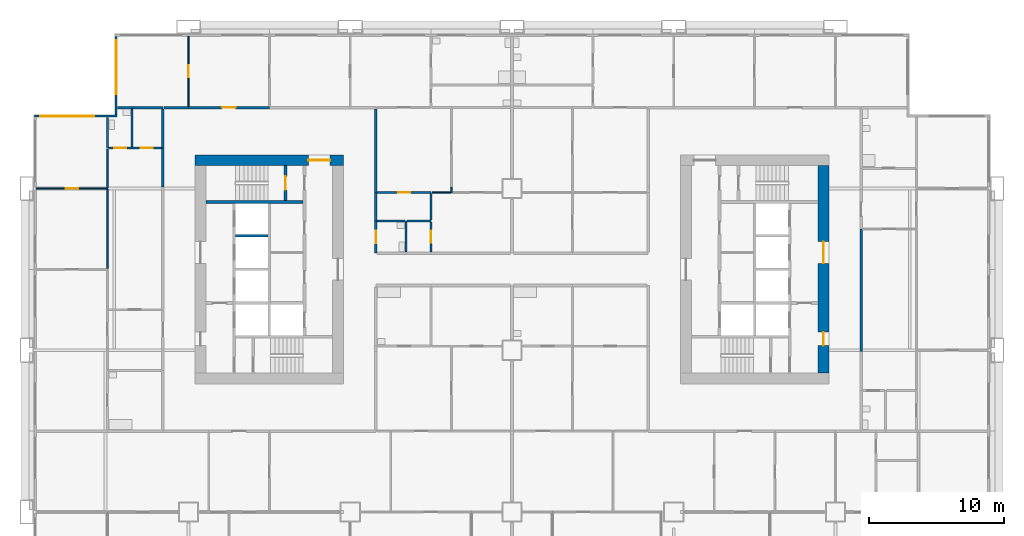
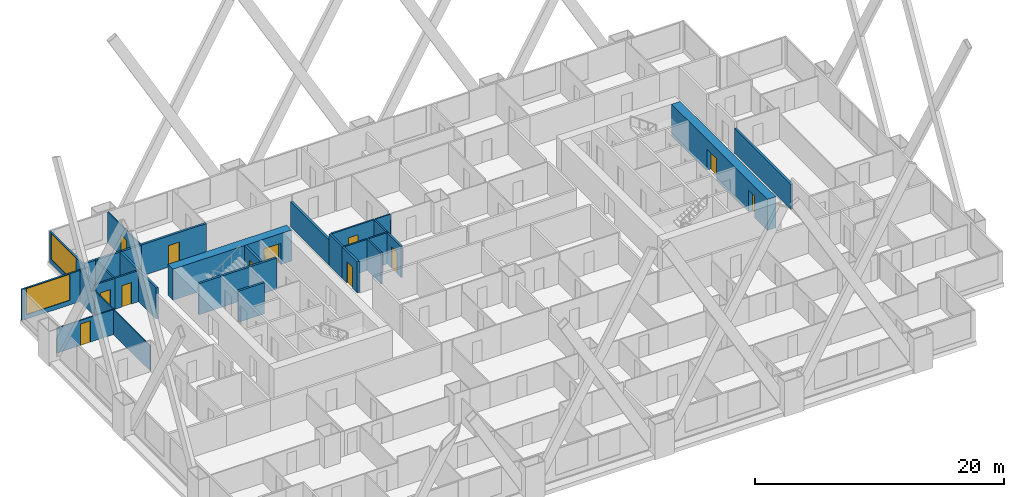
# One storey, part 7 of 13: 33 walls, 12 doors, 2 windows, 14 openings.
"""IFC4 building model written with IfcOpenShell, lengths in metres."""

from ifc_helpers import new_model, si_unit, direction, frame, frame_2d, origin, place, context, subcontext, project, spatial, rectangle, extrude, material, layer, layer_set, type_object, element, fill, save


model = new_model("IFC4")

# Units and contexts
model_context = context("Model", 3, precision=1e-05, world=origin(), true_north=direction((0.0, 1.0)))
body_context = subcontext(model_context, "Body", "Model", "MODEL_VIEW")
ifc_project = project(units=[si_unit("LENGTHUNIT", "METRE"), si_unit("AREAUNIT", "SQUARE_METRE"), si_unit("VOLUMEUNIT", "CUBIC_METRE"), si_unit("PLANEANGLEUNIT", "RADIAN"), si_unit("MASSUNIT", "GRAM", prefix="KILO")], contexts=[model_context])

# Site, building, storey
site_placement = place(None, origin())
site = spatial("IfcSite", under=ifc_project, at=site_placement, CompositionType="ELEMENT")
building_placement = place(site_placement, origin())
building = spatial("IfcBuilding", under=site, at=building_placement, Name="Kitamizu Gate Tower and Museum", CompositionType="ELEMENT")
storey_placement = place(building_placement, frame((0.0, 0.0, 30.0)))
storey = spatial("IfcBuildingStorey", under=building, at=storey_placement, Name="L05", CompositionType="ELEMENT", Elevation=30.0)

# Wall, opening, door
ifc_material_1 = material(Name="Concrete Fc60", Category="concrete")
ifc_layer_1 = layer(ifc_material_1, 0.800048828125)
ifc_layer_set_1 = layer_set([ifc_layer_1], Name="Concrete Fc60")
wall_type_1 = type_object("IfcWallType", Name="Core wall 800", PredefinedType="SHEAR", material=ifc_layer_set_1)
wall_1_placement = place(storey_placement, frame((12.5, 38.10009765625, 0.0), z_axis=(0.0, 0.0, 1.0), x_axis=(1.0, 0.0, 0.0)))
wall_1 = element("IfcWall", 1, at=wall_1_placement, inside=storey, type_object=wall_type_1, Name="Core wall WN", PredefinedType="SHEAR", context=body_context, shape_type="SweptSolid", body=[
    extrude(rectangle(XDim=11.0, YDim=0.800048828125, at=frame_2d((5.5, 0.0))), origin(), (0.0, 0.0, 1.0), 3.050048828125),
])
opening_1_placement = place(wall_1_placement, frame((8.39990234375, 0.0, 0.0)))
opening_1 = element("IfcOpeningElement", 2, at=opening_1_placement, cuts=wall_1, Name="Opening L05-085", PredefinedType="OPENING", context=body_context, shape_type="SweptSolid", body=[
    extrude(rectangle(XDim=1.60009765625, YDim=2.10009765625, at=frame_2d((0.800048828125, 1.050048828125))), frame((0.0, 0.41015625, 0.0), z_axis=(0.0, -1.0, 0.0), x_axis=(1.0, 0.0, 0.0)), (0.0, 0.0, 1.0), 0.820068359375),
])
ifc_material_2 = material(Name="Timber door set", Category="wood")
door_type_1 = type_object("IfcDoorType", Name="Entrance door 1600", OperationType="DOUBLE_DOOR_SINGLE_SWING", PredefinedType="DOOR", material=ifc_material_2)
door_1_placement = place(opening_1_placement, origin())
door_1 = element("IfcDoor", 3, at=door_1_placement, inside=storey, type_object=door_type_1, Name="Lobby door L05-085", OperationType="DOUBLE_DOOR_SINGLE_SWING", OverallHeight=2.10009765625, OverallWidth=1.60009765625, PredefinedType="DOOR", context=body_context, shape_type="SweptSolid", body=[
    extrude(rectangle(XDim=1.60009765625, YDim=2.10009765625, at=frame_2d((0.800048828125, 1.050048828125))), frame((0.0, 0.02490234375, 0.0), z_axis=(0.0, -1.0, 0.0), x_axis=(1.0, 0.0, 0.0)), (0.0, 0.0, 1.0), 0.050048828125),
])
fill(opening_1, door_1)

# Wall, openings, doors
wall_2_placement = place(storey_placement, frame((59.10009765625, 22.300048828125, 0.0), z_axis=(0.0, 0.0, 1.0), x_axis=(0.0, 1.0, 0.0)))
wall_2 = element("IfcWall", 4, at=wall_2_placement, inside=storey, type_object=wall_type_1, Name="Core wall EOUT", PredefinedType="SHEAR", context=body_context, shape_type="SweptSolid", body=[
    extrude(rectangle(XDim=15.39990234375, YDim=0.800048828125, at=frame_2d((7.699951171875, 0.0))), origin(), (0.0, 0.0, 1.0), 3.050048828125),
])
opening_2_placement = place(wall_2_placement, frame((8.14990234375, 0.0, 0.0)))
opening_2 = element("IfcOpeningElement", 5, at=opening_2_placement, cuts=wall_2, Name="Opening L05-094", PredefinedType="OPENING", context=body_context, shape_type="SweptSolid", body=[
    extrude(rectangle(XDim=1.60009765625, YDim=2.10009765625, at=frame_2d((0.800048828125, 1.050048828125))), frame((0.0, 0.41015625, 0.0), z_axis=(0.0, -1.0, 0.0), x_axis=(1.0, 0.0, 0.0)), (0.0, 0.0, 1.0), 0.820068359375),
])
opening_3_placement = place(wall_2_placement, frame((2.050048828125, 0.0, 0.0)))
opening_3 = element("IfcOpeningElement", 6, at=opening_3_placement, cuts=wall_2, Name="Opening L05-095", PredefinedType="OPENING", context=body_context, shape_type="SweptSolid", body=[
    extrude(rectangle(XDim=1.0, YDim=2.10009765625, at=frame_2d((0.5, 1.050048828125))), frame((0.0, 0.41015625, 0.0), z_axis=(0.0, -1.0, 0.0), x_axis=(1.0, 0.0, 0.0)), (0.0, 0.0, 1.0), 0.820068359375),
])
door_2_placement = place(opening_2_placement, origin())
door_2 = element("IfcDoor", 7, at=door_2_placement, inside=storey, type_object=door_type_1, Name="Lobby door L05-094", OperationType="DOUBLE_DOOR_SINGLE_SWING", OverallHeight=2.10009765625, OverallWidth=1.60009765625, PredefinedType="DOOR", context=body_context, shape_type="SweptSolid", body=[
    extrude(rectangle(XDim=1.60009765625, YDim=2.10009765625, at=frame_2d((0.800048828125, 1.050048828125))), frame((0.0, 0.02490234375, 0.0), z_axis=(0.0, -1.0, 0.0), x_axis=(1.0, 0.0, 0.0)), (0.0, 0.0, 1.0), 0.050048828125),
])
fill(opening_2, door_2)
ifc_material_3 = material(Name="Hollow metal door set")
door_type_2 = type_object("IfcDoorType", Name="Fire door 1000", OperationType="NOTDEFINED", PredefinedType="DOOR", material=ifc_material_3)
door_3_placement = place(opening_3_placement, origin())
door_3 = element("IfcDoor", 8, at=door_3_placement, inside=storey, type_object=door_type_2, Name="Fire-fighting lobby door L05-095", OperationType="SINGLE_SWING_RIGHT", OverallHeight=2.10009765625, OverallWidth=1.0, PredefinedType="DOOR", context=body_context, shape_type="SweptSolid", body=[
    extrude(rectangle(XDim=1.0, YDim=2.10009765625, at=frame_2d((0.5, 1.050048828125))), frame((0.0, 0.02490234375, 0.0), z_axis=(0.0, -1.0, 0.0), x_axis=(1.0, 0.0, 0.0)), (0.0, 0.0, 1.0), 0.050048828125),
])
fill(opening_3, door_3)

# Wall, opening, door
ifc_material_4 = material(Name="Gypsum board on galvanised stud")
ifc_layer_2 = layer(ifc_material_4, 0.10009765625)
ifc_layer_set_2 = layer_set([ifc_layer_2], Name="Gypsum board on galvanised stud")
wall_type_2 = type_object("IfcWallType", Name="Partition 100 NOT RATED", PredefinedType="PARTITIONING", material=ifc_layer_set_2)
wall_3_placement = place(storey_placement, frame((6.0, 36.0, 0.0), z_axis=(0.0, 0.0, 1.0), x_axis=(-1.0, 0.0, 0.0)))
wall_3 = element("IfcWall", 9, at=wall_3_placement, inside=storey, type_object=wall_type_2, Name="Partition L05-056", PredefinedType="PARTITIONING", context=body_context, shape_type="SweptSolid", body=[
    extrude(rectangle(XDim=5.280029296875, YDim=0.10009765625, at=frame_2d((2.64013671875, 0.0))), origin(), (0.0, 0.0, 1.0), 2.449951171875),
])
opening_4_placement = place(wall_3_placement, frame((2.18994140625, 0.0, 0.0)))
opening_4 = element("IfcOpeningElement", 10, at=opening_4_placement, cuts=wall_3, Name="Opening L05-023", PredefinedType="OPENING", context=body_context, shape_type="SweptSolid", body=[
    extrude(rectangle(XDim=0.89990234375, YDim=2.10009765625, at=frame_2d((0.449951171875, 1.050048828125))), frame((0.0, 0.06005859375, 0.0), z_axis=(0.0, -1.0, 0.0), x_axis=(1.0, 0.0, 0.0)), (0.0, 0.0, 1.0), 0.1201171875),
])
ifc_material_5 = material(Name="Timber door set", Category="wood")
door_type_3 = type_object("IfcDoorType", Name="Room door 900", OperationType="NOTDEFINED", PredefinedType="DOOR", material=ifc_material_5)
door_4_placement = place(opening_4_placement, frame((0.89990234375, 0.0, 0.0), x_axis=(-1.0, 0.0, 0.0)))
door_4 = element("IfcDoor", 11, at=door_4_placement, inside=storey, type_object=door_type_3, Name="Door L05-023", OperationType="SINGLE_SWING_LEFT", OverallHeight=2.10009765625, OverallWidth=0.89990234375, PredefinedType="DOOR", context=body_context, shape_type="SweptSolid", body=[
    extrude(rectangle(XDim=0.89990234375, YDim=2.10009765625, at=frame_2d((0.449951171875, 1.050048828125))), frame((0.0, 0.02490234375, 0.0), z_axis=(0.0, -1.0, 0.0), x_axis=(1.0, 0.0, 0.0)), (0.0, 0.0, 1.0), 0.050048828125),
])
fill(opening_4, door_4)

# Walls
wall_4_placement = place(storey_placement, frame((6.0, 30.050048828125, 0.0), z_axis=(0.0, 0.0, 1.0), x_axis=(0.0, 1.0, 0.0)))
element("IfcWall", 12, at=wall_4_placement, inside=storey, type_object=wall_type_2, Name="Partition L05-057", PredefinedType="PARTITIONING", context=body_context, shape_type="SweptSolid", body=[
    extrude(rectangle(XDim=5.89990234375, YDim=0.10009765625, at=frame_2d((2.949951171875, 0.0))), origin(), (0.0, 0.0, 1.0), 2.449951171875),
])
wall_5_placement = place(storey_placement, frame((6.0, 36.050048828125, 0.0), z_axis=(0.0, 0.0, 1.0), x_axis=(0.0, 1.0, 0.0)))
element("IfcWall", 13, at=wall_5_placement, inside=storey, type_object=wall_type_2, Name="Partition L05-058", PredefinedType="PARTITIONING", context=body_context, shape_type="SweptSolid", body=[
    extrude(rectangle(XDim=2.875, YDim=0.10009765625, at=frame_2d((1.4375, 0.0))), origin(), (0.0, 0.0, 1.0), 2.449951171875),
])

# Wall, opening, door
wall_6_placement = place(storey_placement, frame((12.0, 42.10009765625, 0.0), z_axis=(0.0, 0.0, 1.0), x_axis=(0.0, 1.0, 0.0)))
wall_6 = element("IfcWall", 14, at=wall_6_placement, inside=storey, type_object=wall_type_2, Name="Partition L05-146", PredefinedType="PARTITIONING", context=body_context, shape_type="SweptSolid", body=[
    extrude(rectangle(XDim=5.179931640625, YDim=0.10009765625, at=frame_2d((2.58984375, 0.0))), origin(), (0.0, 0.0, 1.0), 3.050048828125),
])
opening_5_placement = place(wall_6_placement, frame((2.139892578125, 0.0, 0.0)))
opening_5 = element("IfcOpeningElement", 15, at=opening_5_placement, cuts=wall_6, Name="Opening L05-058", PredefinedType="OPENING", context=body_context, shape_type="SweptSolid", body=[
    extrude(rectangle(XDim=0.89990234375, YDim=2.10009765625, at=frame_2d((0.449951171875, 1.050048828125))), frame((0.0, 0.06005859375, 0.0), z_axis=(0.0, -1.0, 0.0), x_axis=(1.0, 0.0, 0.0)), (0.0, 0.0, 1.0), 0.1201171875),
])
door_5_placement = place(opening_5_placement, origin())
door_5 = element("IfcDoor", 16, at=door_5_placement, inside=storey, type_object=door_type_3, Name="Door L05-058", OperationType="SINGLE_SWING_RIGHT", OverallHeight=2.10009765625, OverallWidth=0.89990234375, PredefinedType="DOOR", context=body_context, shape_type="SweptSolid", body=[
    extrude(rectangle(XDim=0.89990234375, YDim=2.10009765625, at=frame_2d((0.449951171875, 1.050048828125))), frame((0.0, 0.02490234375, 0.0), z_axis=(0.0, -1.0, 0.0), x_axis=(1.0, 0.0, 0.0)), (0.0, 0.0, 1.0), 0.050048828125),
])
fill(opening_5, door_5)

# Walls
wall_7_placement = place(storey_placement, frame((31.5, 35.699951171875, 0.0), z_axis=(0.0, 0.0, 1.0), x_axis=(0.0, 1.0, 0.0)))
element("IfcWall", 17, at=wall_7_placement, inside=storey, type_object=wall_type_2, Name="Partition L05-161", PredefinedType="PARTITIONING", context=body_context, shape_type="SweptSolid", body=[
    extrude(rectangle(XDim=0.400146484375, YDim=0.10009765625, at=frame_2d((0.2001953125, 0.0))), origin(), (0.0, 0.0, 1.0), 2.449951171875),
])
wall_8_placement = place(storey_placement, frame((30.074951171875, 35.699951171875, 0.0), z_axis=(0.0, 0.0, 1.0), x_axis=(1.0, 0.0, 0.0)))
element("IfcWall", 18, at=wall_8_placement, inside=storey, type_object=wall_type_2, Name="Partition L05-164", PredefinedType="PARTITIONING", context=body_context, shape_type="SweptSolid", body=[
    extrude(rectangle(XDim=1.375, YDim=0.10009765625, at=frame_2d((0.6875, 0.0))), origin(), (0.0, 0.0, 1.0), 3.050048828125),
])
ifc_material_6 = material(Name="Gypsum board on galvanised stud")
ifc_layer_3 = layer(ifc_material_6, 0.14990234375)
ifc_layer_set_3 = layer_set([ifc_layer_3], Name="Gypsum board on galvanised stud")
wall_type_3 = type_object("IfcWallType", Name="Partition 150", PredefinedType="PARTITIONING", material=ifc_layer_set_3)
wall_9_placement = place(storey_placement, frame((6.0, 39.0, 0.0), z_axis=(0.0, 0.0, 1.0), x_axis=(0.0, 1.0, 0.0)))
element("IfcWall", 19, at=wall_9_placement, inside=storey, type_object=wall_type_3, Name="Partition L05-059", PredefinedType="PARTITIONING", context=body_context, shape_type="SweptSolid", body=[
    extrude(rectangle(XDim=2.280029296875, YDim=0.14990234375, at=frame_2d((1.14013671875, 0.0))), origin(), (0.0, 0.0, 1.0), 3.050048828125),
])

# Wall, opening, door
wall_10_placement = place(storey_placement, frame((7.800048828125, 39.0, 0.0), z_axis=(0.0, 0.0, 1.0), x_axis=(-1.0, 0.0, 0.0)))
wall_10 = element("IfcWall", 20, at=wall_10_placement, inside=storey, type_object=wall_type_3, Name="Partition L05-065", PredefinedType="PARTITIONING", context=body_context, shape_type="SweptSolid", body=[
    extrude(rectangle(XDim=1.72509765625, YDim=0.14990234375, at=frame_2d((0.862548828125, 0.0))), origin(), (0.0, 0.0, 1.0), 3.050048828125),
])
opening_6_placement = place(wall_10_placement, frame((0.41259765625, 0.0, 0.0)))
opening_6 = element("IfcOpeningElement", 21, at=opening_6_placement, cuts=wall_10, Name="Opening L05-025", PredefinedType="OPENING", context=body_context, shape_type="SweptSolid", body=[
    extrude(rectangle(XDim=0.89990234375, YDim=2.10009765625, at=frame_2d((0.449951171875, 1.050048828125))), frame((0.0, 0.0849609375, 0.0), z_axis=(0.0, -1.0, 0.0), x_axis=(1.0, 0.0, 0.0)), (0.0, 0.0, 1.0), 0.169921875),
])
ifc_material_7 = material(Name="Timber door set", Category="wood")
door_type_4 = type_object("IfcDoorType", Name="Bathroom door 900", OperationType="NOTDEFINED", PredefinedType="DOOR", material=ifc_material_7)
door_6_placement = place(opening_6_placement, frame((0.89990234375, 0.0, 0.0), x_axis=(-1.0, 0.0, 0.0)))
door_6 = element("IfcDoor", 22, at=door_6_placement, inside=storey, type_object=door_type_4, Name="Bathroom door L05-025", OperationType="SINGLE_SWING_LEFT", OverallHeight=2.10009765625, OverallWidth=0.89990234375, PredefinedType="DOOR", context=body_context, shape_type="SweptSolid", body=[
    extrude(rectangle(XDim=0.89990234375, YDim=2.10009765625, at=frame_2d((0.449951171875, 1.050048828125))), frame((0.0, 0.02490234375, 0.0), z_axis=(0.0, -1.0, 0.0), x_axis=(1.0, 0.0, 0.0)), (0.0, 0.0, 1.0), 0.050048828125),
])
fill(opening_6, door_6)

wall_11_placement = place(storey_placement, frame((10.0, 39.0, 0.0), z_axis=(0.0, 0.0, 1.0), x_axis=(-1.0, 0.0, 0.0)))
wall_11 = element("IfcWall", 23, at=wall_11_placement, inside=storey, type_object=wall_type_3, Name="Partition L05-066", PredefinedType="PARTITIONING", context=body_context, shape_type="SweptSolid", body=[
    extrude(rectangle(XDim=2.199951171875, YDim=0.14990234375, at=frame_2d((1.10009765625, 0.0))), origin(), (0.0, 0.0, 1.0), 3.050048828125),
])
opening_7_placement = place(wall_11_placement, frame((0.64990234375, 0.0, 0.0)))
opening_7 = element("IfcOpeningElement", 24, at=opening_7_placement, cuts=wall_11, Name="Opening L05-026", PredefinedType="OPENING", context=body_context, shape_type="SweptSolid", body=[
    extrude(rectangle(XDim=0.89990234375, YDim=2.10009765625, at=frame_2d((0.449951171875, 1.050048828125))), frame((0.0, 0.0849609375, 0.0), z_axis=(0.0, -1.0, 0.0), x_axis=(1.0, 0.0, 0.0)), (0.0, 0.0, 1.0), 0.169921875),
])
door_7_placement = place(opening_7_placement, frame((0.89990234375, 0.0, 0.0), x_axis=(-1.0, 0.0, 0.0)))
door_7 = element("IfcDoor", 25, at=door_7_placement, inside=storey, type_object=door_type_4, Name="Bathroom door L05-026", OperationType="SINGLE_SWING_RIGHT", OverallHeight=2.10009765625, OverallWidth=0.89990234375, PredefinedType="DOOR", context=body_context, shape_type="SweptSolid", body=[
    extrude(rectangle(XDim=0.89990234375, YDim=2.10009765625, at=frame_2d((0.449951171875, 1.050048828125))), frame((0.0, 0.02490234375, 0.0), z_axis=(0.0, -1.0, 0.0), x_axis=(1.0, 0.0, 0.0)), (0.0, 0.0, 1.0), 0.050048828125),
])
fill(opening_7, door_7)

# Wall
wall_12_placement = place(storey_placement, frame((7.800048828125, 39.074951171875, 0.0), z_axis=(0.0, 0.0, 1.0), x_axis=(0.0, 1.0, 0.0)))
element("IfcWall", 26, at=wall_12_placement, inside=storey, type_object=wall_type_3, Name="Partition L05-069", PredefinedType="PARTITIONING", context=body_context, shape_type="SweptSolid", body=[
    extrude(rectangle(XDim=2.824951171875, YDim=0.14990234375, at=frame_2d((1.41259765625, 0.0))), origin(), (0.0, 0.0, 1.0), 3.050048828125),
])

# Wall, opening, door
wall_13_placement = place(storey_placement, frame((26.0, 35.699951171875, 0.0), z_axis=(0.0, 0.0, 1.0), x_axis=(1.0, 0.0, 0.0)))
wall_13 = element("IfcWall", 27, at=wall_13_placement, inside=storey, type_object=wall_type_3, Name="Partition L05-163", PredefinedType="PARTITIONING", context=body_context, shape_type="SweptSolid", body=[
    extrude(rectangle(XDim=4.0, YDim=0.14990234375, at=frame_2d((2.0, 0.0))), origin(), (0.0, 0.0, 1.0), 3.050048828125),
])
opening_8_placement = place(wall_13_placement, frame((1.550048828125, 0.0, 0.0)))
opening_8 = element("IfcOpeningElement", 28, at=opening_8_placement, cuts=wall_13, Name="Opening L05-064", PredefinedType="OPENING", context=body_context, shape_type="SweptSolid", body=[
    extrude(rectangle(XDim=0.89990234375, YDim=2.10009765625, at=frame_2d((0.449951171875, 1.050048828125))), frame((0.0, 0.0849609375, 0.0), z_axis=(0.0, -1.0, 0.0), x_axis=(1.0, 0.0, 0.0)), (0.0, 0.0, 1.0), 0.169921875),
])
door_8_placement = place(opening_8_placement, frame((0.89990234375, 0.0, 0.0), x_axis=(-1.0, 0.0, 0.0)))
door_8 = element("IfcDoor", 29, at=door_8_placement, inside=storey, type_object=door_type_4, Name="Bathroom door L05-064", OperationType="SINGLE_SWING_LEFT", OverallHeight=2.10009765625, OverallWidth=0.89990234375, PredefinedType="DOOR", context=body_context, shape_type="SweptSolid", body=[
    extrude(rectangle(XDim=0.89990234375, YDim=2.10009765625, at=frame_2d((0.449951171875, 1.050048828125))), frame((0.0, 0.02490234375, 0.0), z_axis=(0.0, -1.0, 0.0), x_axis=(1.0, 0.0, 0.0)), (0.0, 0.0, 1.0), 0.050048828125),
])
fill(opening_8, door_8)

# Walls
wall_14_placement = place(storey_placement, frame((28.14990234375, 31.300048828125, 0.0), z_axis=(0.0, 0.0, 1.0), x_axis=(0.0, 1.0, 0.0)))
element("IfcWall", 30, at=wall_14_placement, inside=storey, type_object=wall_type_3, Name="Partition L05-168", PredefinedType="PARTITIONING", context=body_context, shape_type="SweptSolid", body=[
    extrude(rectangle(XDim=2.300048828125, YDim=0.14990234375, at=frame_2d((1.14990234375, 0.0))), origin(), (0.0, 0.0, 1.0), 3.050048828125),
])
wall_15_placement = place(storey_placement, frame((28.074951171875, 33.60009765625, 0.0), z_axis=(0.0, 0.0, 1.0), x_axis=(-1.0, 0.0, 0.0)))
element("IfcWall", 31, at=wall_15_placement, inside=storey, type_object=wall_type_3, Name="Partition L05-169", PredefinedType="PARTITIONING", context=body_context, shape_type="SweptSolid", body=[
    extrude(rectangle(XDim=2.074951171875, YDim=0.14990234375, at=frame_2d((1.03759765625, 0.0))), origin(), (0.0, 0.0, 1.0), 3.050048828125),
])
wall_16_placement = place(storey_placement, frame((30.0, 33.60009765625, 0.0), z_axis=(0.0, 0.0, 1.0), x_axis=(-1.0, 0.0, 0.0)))
element("IfcWall", 32, at=wall_16_placement, inside=storey, type_object=wall_type_3, Name="Partition L05-172", PredefinedType="PARTITIONING", context=body_context, shape_type="SweptSolid", body=[
    extrude(rectangle(XDim=1.77490234375, YDim=0.14990234375, at=frame_2d((0.887451171875, 0.0))), origin(), (0.0, 0.0, 1.0), 3.050048828125),
])

# Wall, opening, door
wall_17_placement = place(storey_placement, frame((30.0, 31.300048828125, 0.0), z_axis=(0.0, 0.0, 1.0), x_axis=(0.0, 1.0, 0.0)))
wall_17 = element("IfcWall", 33, at=wall_17_placement, inside=storey, type_object=wall_type_3, Name="Partition L05-173", PredefinedType="PARTITIONING", context=body_context, shape_type="SweptSolid", body=[
    extrude(rectangle(XDim=2.224853515625, YDim=0.14990234375, at=frame_2d((1.1123046875, 0.0))), origin(), (0.0, 0.0, 1.0), 3.050048828125),
])
opening_9_placement = place(wall_17_placement, frame((0.66259765625, 0.0, 0.0)))
opening_9 = element("IfcOpeningElement", 34, at=opening_9_placement, cuts=wall_17, Name="Opening L05-066", PredefinedType="OPENING", context=body_context, shape_type="SweptSolid", body=[
    extrude(rectangle(XDim=0.89990234375, YDim=2.10009765625, at=frame_2d((0.449951171875, 1.050048828125))), frame((0.0, 0.0849609375, 0.0), z_axis=(0.0, -1.0, 0.0), x_axis=(1.0, 0.0, 0.0)), (0.0, 0.0, 1.0), 0.169921875),
])
door_9_placement = place(opening_9_placement, origin())
door_9 = element("IfcDoor", 35, at=door_9_placement, inside=storey, type_object=door_type_4, Name="Bathroom door L05-066", OperationType="SINGLE_SWING_LEFT", OverallHeight=2.10009765625, OverallWidth=0.89990234375, PredefinedType="DOOR", context=body_context, shape_type="SweptSolid", body=[
    extrude(rectangle(XDim=0.89990234375, YDim=2.10009765625, at=frame_2d((0.449951171875, 1.050048828125))), frame((0.0, 0.02490234375, 0.0), z_axis=(0.0, -1.0, 0.0), x_axis=(1.0, 0.0, 0.0)), (0.0, 0.0, 1.0), 0.050048828125),
])
fill(opening_9, door_9)

# Walls
wall_18_placement = place(storey_placement, frame((30.0, 33.675048828125, 0.0), z_axis=(0.0, 0.0, 1.0), x_axis=(0.0, 1.0, 0.0)))
element("IfcWall", 36, at=wall_18_placement, inside=storey, type_object=wall_type_3, Name="Partition L05-175", PredefinedType="PARTITIONING", context=body_context, shape_type="SweptSolid", body=[
    extrude(rectangle(XDim=1.949951171875, YDim=0.14990234375, at=frame_2d((0.97509765625, 0.0))), origin(), (0.0, 0.0, 1.0), 3.050048828125),
])
ifc_material_8 = material(Name="Gypsum board on galvanised stud")
ifc_layer_4 = layer(ifc_material_8, 0.199951171875)
ifc_layer_set_4 = layer_set([ifc_layer_4], Name="Gypsum board on galvanised stud")
wall_type_4 = type_object("IfcWallType", Name="Partition 200", PredefinedType="PARTITIONING", material=ifc_layer_set_4)
wall_19_placement = place(storey_placement, frame((10.10009765625, 36.10009765625, 0.0), z_axis=(0.0, 0.0, 1.0), x_axis=(0.0, 1.0, 0.0)))
element("IfcWall", 37, at=wall_19_placement, inside=storey, type_object=wall_type_4, Name="Partition L05-068", PredefinedType="PARTITIONING", context=body_context, shape_type="SweptSolid", body=[
    extrude(rectangle(XDim=2.89990234375, YDim=0.199951171875, at=frame_2d((1.449951171875, 0.0))), origin(), (0.0, 0.0, 1.0), 3.050048828125),
])
wall_20_placement = place(storey_placement, frame((7.800048828125, 42.0, 0.0), z_axis=(0.0, 0.0, 1.0), x_axis=(-1.0, 0.0, 0.0)))
element("IfcWall", 38, at=wall_20_placement, inside=storey, type_object=wall_type_4, Name="Partition L05-070", PredefinedType="PARTITIONING", context=body_context, shape_type="SweptSolid", body=[
    extrude(rectangle(XDim=1.080078125, YDim=0.199951171875, at=frame_2d((0.5400390625, 0.0))), origin(), (0.0, 0.0, 1.0), 3.050048828125),
])
wall_21_placement = place(storey_placement, frame((10.10009765625, 42.0, 0.0), z_axis=(0.0, 0.0, 1.0), x_axis=(-1.0, 0.0, 0.0)))
element("IfcWall", 39, at=wall_21_placement, inside=storey, type_object=wall_type_4, Name="Partition L05-071", PredefinedType="PARTITIONING", context=body_context, shape_type="SweptSolid", body=[
    extrude(rectangle(XDim=2.300048828125, YDim=0.199951171875, at=frame_2d((1.14990234375, 0.0))), origin(), (0.0, 0.0, 1.0), 3.050048828125),
])
wall_22_placement = place(storey_placement, frame((10.10009765625, 39.0, 0.0), z_axis=(0.0, 0.0, 1.0), x_axis=(0.0, 1.0, 0.0)))
element("IfcWall", 40, at=wall_22_placement, inside=storey, type_object=wall_type_4, Name="Partition L05-072", PredefinedType="PARTITIONING", context=body_context, shape_type="SweptSolid", body=[
    extrude(rectangle(XDim=2.89990234375, YDim=0.199951171875, at=frame_2d((1.449951171875, 0.0))), origin(), (0.0, 0.0, 1.0), 3.050048828125),
])
wall_23_placement = place(storey_placement, frame((61.89990234375, 33.0, 0.0), z_axis=(0.0, 0.0, 1.0), x_axis=(0.0, -1.0, 0.0)))
element("IfcWall", 41, at=wall_23_placement, inside=storey, type_object=wall_type_4, Name="Partition L05-139", PredefinedType="PARTITIONING", context=body_context, shape_type="SweptSolid", body=[
    extrude(rectangle(XDim=9.10009765625, YDim=0.199951171875, at=frame_2d((4.550048828125, 0.0))), origin(), (0.0, 0.0, 1.0), 2.449951171875),
])
wall_24_placement = place(storey_placement, frame((10.199951171875, 42.0, 0.0), z_axis=(0.0, 0.0, 1.0), x_axis=(1.0, 0.0, 0.0)))
element("IfcWall", 42, at=wall_24_placement, inside=storey, type_object=wall_type_4, Name="Partition L05-147", PredefinedType="PARTITIONING", context=body_context, shape_type="SweptSolid", body=[
    extrude(rectangle(XDim=1.800048828125, YDim=0.199951171875, at=frame_2d((0.89990234375, 0.0))), origin(), (0.0, 0.0, 1.0), 3.050048828125),
])

# Wall, opening, door
wall_25_placement = place(storey_placement, frame((12.0, 42.0, 0.0), z_axis=(0.0, 0.0, 1.0), x_axis=(1.0, 0.0, 0.0)))
wall_25 = element("IfcWall", 43, at=wall_25_placement, inside=storey, type_object=wall_type_4, Name="Partition L05-149", PredefinedType="PARTITIONING", context=body_context, shape_type="SweptSolid", body=[
    extrude(rectangle(XDim=6.0, YDim=0.199951171875, at=frame_2d((3.0, 0.0))), origin(), (0.0, 0.0, 1.0), 3.050048828125),
])
opening_10_placement = place(wall_25_placement, frame((2.5, 0.0, 0.0)))
opening_10 = element("IfcOpeningElement", 44, at=opening_10_placement, cuts=wall_25, Name="Opening L05-056", PredefinedType="OPENING", context=body_context, shape_type="SweptSolid", body=[
    extrude(rectangle(XDim=1.0, YDim=2.10009765625, at=frame_2d((0.5, 1.050048828125))), frame((0.0, 0.10986328125, 0.0), z_axis=(0.0, -1.0, 0.0), x_axis=(1.0, 0.0, 0.0)), (0.0, 0.0, 1.0), 0.219970703125),
])
ifc_material_9 = material(Name="Timber door set", Category="wood")
door_type_5 = type_object("IfcDoorType", Name="Flat entrance door 1000", OperationType="NOTDEFINED", PredefinedType="DOOR", material=ifc_material_9)
door_10_placement = place(opening_10_placement, origin())
door_10 = element("IfcDoor", 45, at=door_10_placement, inside=storey, type_object=door_type_5, Name="Flat entrance door L05-056", OperationType="SINGLE_SWING_RIGHT", OverallHeight=2.10009765625, OverallWidth=1.0, PredefinedType="DOOR", context=body_context, shape_type="SweptSolid", body=[
    extrude(rectangle(XDim=1.0, YDim=2.10009765625, at=frame_2d((0.5, 1.050048828125))), frame((0.0, 0.02490234375, 0.0), z_axis=(0.0, -1.0, 0.0), x_axis=(1.0, 0.0, 0.0)), (0.0, 0.0, 1.0), 0.050048828125),
])
fill(opening_10, door_10)

# Wall
wall_26_placement = place(storey_placement, frame((25.89990234375, 41.89990234375, 0.0), z_axis=(0.0, 0.0, 1.0), x_axis=(0.0, -1.0, 0.0)))
element("IfcWall", 46, at=wall_26_placement, inside=storey, type_object=wall_type_4, Name="Partition L05-165", PredefinedType="PARTITIONING", context=body_context, shape_type="SweptSolid", body=[
    extrude(rectangle(XDim=6.199951171875, YDim=0.199951171875, at=frame_2d((3.10009765625, 0.0))), origin(), (0.0, 0.0, 1.0), 2.449951171875),
])

# Wall, opening, door
wall_27_placement = place(storey_placement, frame((25.89990234375, 33.60009765625, 0.0), z_axis=(0.0, 0.0, 1.0), x_axis=(0.0, -1.0, 0.0)))
wall_27 = element("IfcWall", 47, at=wall_27_placement, inside=storey, type_object=wall_type_4, Name="Partition L05-170", PredefinedType="PARTITIONING", context=body_context, shape_type="SweptSolid", body=[
    extrude(rectangle(XDim=2.400146484375, YDim=0.199951171875, at=frame_2d((1.2001953125, 0.0))), origin(), (0.0, 0.0, 1.0), 3.050048828125),
])
opening_11_placement = place(wall_27_placement, frame((0.75, 0.0, 0.0)))
opening_11 = element("IfcOpeningElement", 48, at=opening_11_placement, cuts=wall_27, Name="Opening L05-067", PredefinedType="OPENING", context=body_context, shape_type="SweptSolid", body=[
    extrude(rectangle(XDim=0.89990234375, YDim=2.10009765625, at=frame_2d((0.449951171875, 1.050048828125))), frame((0.0, 0.10986328125, 0.0), z_axis=(0.0, -1.0, 0.0), x_axis=(1.0, 0.0, 0.0)), (0.0, 0.0, 1.0), 0.219970703125),
])
ifc_material_10 = material(Name="Timber door set", Category="wood")
door_type_6 = type_object("IfcDoorType", Name="Store door 900", OperationType="NOTDEFINED", PredefinedType="DOOR", material=ifc_material_10)
door_11_placement = place(opening_11_placement, origin())
door_11 = element("IfcDoor", 49, at=door_11_placement, inside=storey, type_object=door_type_6, Name="Service entrance door L05-067", OperationType="SINGLE_SWING_RIGHT", OverallHeight=2.10009765625, OverallWidth=0.89990234375, PredefinedType="DOOR", context=body_context, shape_type="SweptSolid", body=[
    extrude(rectangle(XDim=0.89990234375, YDim=2.10009765625, at=frame_2d((0.449951171875, 1.050048828125))), frame((0.0, 0.02490234375, 0.0), z_axis=(0.0, -1.0, 0.0), x_axis=(1.0, 0.0, 0.0)), (0.0, 0.0, 1.0), 0.050048828125),
])
fill(opening_11, door_11)

# Walls
wall_28_placement = place(storey_placement, frame((25.89990234375, 35.699951171875, 0.0), z_axis=(0.0, 0.0, 1.0), x_axis=(0.0, -1.0, 0.0)))
element("IfcWall", 50, at=wall_28_placement, inside=storey, type_object=wall_type_4, Name="Partition L05-176", PredefinedType="PARTITIONING", context=body_context, shape_type="SweptSolid", body=[
    extrude(rectangle(XDim=2.099853515625, YDim=0.199951171875, at=frame_2d((1.0498046875, 0.0))), origin(), (0.0, 0.0, 1.0), 3.050048828125),
])
ifc_material_11 = material(Name="Concrete Fc42", Category="concrete")
ifc_layer_5 = layer(ifc_material_11, 0.199951171875)
ifc_layer_set_5 = layer_set([ifc_layer_5], Name="Concrete Fc42")
wall_type_5 = type_object("IfcWallType", Name="Shaft wall 200", PredefinedType="SOLIDWALL", material=ifc_layer_set_5)
wall_29_placement = place(storey_placement, frame((13.300048828125, 35.0, 0.0), z_axis=(0.0, 0.0, 1.0), x_axis=(1.0, 0.0, 0.0)))
element("IfcWall", 51, at=wall_29_placement, inside=storey, type_object=wall_type_5, Name="Shaft wall WNB", PredefinedType="SOLIDWALL", context=body_context, shape_type="SweptSolid", body=[
    extrude(rectangle(XDim=7.199951171875, YDim=0.199951171875, at=frame_2d((3.60009765625, 0.0))), origin(), (0.0, 0.0, 1.0), 3.050048828125),
])

# Wall, opening, door
wall_30_placement = place(storey_placement, frame((19.199951171875, 35.10009765625, 0.0), z_axis=(0.0, 0.0, 1.0), x_axis=(0.0, 1.0, 0.0)))
wall_30 = element("IfcWall", 52, at=wall_30_placement, inside=storey, type_object=wall_type_5, Name="Shaft wall WNZ", PredefinedType="SOLIDWALL", context=body_context, shape_type="SweptSolid", body=[
    extrude(rectangle(XDim=2.599853515625, YDim=0.199951171875, at=frame_2d((1.2998046875, 0.0))), origin(), (0.0, 0.0, 1.0), 3.050048828125),
])
opening_12_placement = place(wall_30_placement, frame((0.800048828125, 0.0, 0.0)))
opening_12 = element("IfcOpeningElement", 53, at=opening_12_placement, cuts=wall_30, Name="Opening L05-081", PredefinedType="OPENING", context=body_context, shape_type="SweptSolid", body=[
    extrude(rectangle(XDim=1.0, YDim=2.10009765625, at=frame_2d((0.5, 1.050048828125))), frame((0.0, 0.10986328125, 0.0), z_axis=(0.0, -1.0, 0.0), x_axis=(1.0, 0.0, 0.0)), (0.0, 0.0, 1.0), 0.219970703125),
])
door_12_placement = place(opening_12_placement, origin())
door_12 = element("IfcDoor", 54, at=door_12_placement, inside=storey, type_object=door_type_2, Name="Stair door L05-081", OperationType="SINGLE_SWING_RIGHT", OverallHeight=2.10009765625, OverallWidth=1.0, PredefinedType="DOOR", context=body_context, shape_type="SweptSolid", body=[
    extrude(rectangle(XDim=1.0, YDim=2.10009765625, at=frame_2d((0.5, 1.050048828125))), frame((0.0, 0.02490234375, 0.0), z_axis=(0.0, -1.0, 0.0), x_axis=(1.0, 0.0, 0.0)), (0.0, 0.0, 1.0), 0.050048828125),
])
fill(opening_12, door_12)

# Wall
wall_31_placement = place(storey_placement, frame((15.5, 32.5, 0.0), z_axis=(0.0, 0.0, 1.0), x_axis=(1.0, 0.0, 0.0)))
element("IfcWall", 55, at=wall_31_placement, inside=storey, type_object=wall_type_5, Name="Shaft wall WDVW2", PredefinedType="SOLIDWALL", context=body_context, shape_type="SweptSolid", body=[
    extrude(rectangle(XDim=2.39990234375, YDim=0.199951171875, at=frame_2d((1.199951171875, 0.0))), origin(), (0.0, 0.0, 1.0), 3.050048828125),
])

# Wall, opening, window
ifc_material_12 = material(Name="Bronze anodised aluminium frame with insulated spandrel and tinted glass", Category="aluminium")
ifc_layer_6 = layer(ifc_material_12, 0.14990234375)
ifc_layer_set_6 = layer_set([ifc_layer_6], Name="Bronze anodised aluminium frame with insulated spandrel and tinted glass")
wall_type_6 = type_object("IfcWallType", Name="WINDOW WALL 150 BRONZE FRAME EI 30", PredefinedType="ELEMENTEDWALL", material=ifc_layer_set_6)
wall_32_placement = place(storey_placement, frame((6.635009765625, 41.43994140625, 0.0), z_axis=(0.0, 0.0, 1.0), x_axis=(0.0, 1.0, 0.0)))
wall_32 = element("IfcWall", 56, at=wall_32_placement, inside=storey, type_object=wall_type_6, Name="Window wall west L05", PredefinedType="ELEMENTEDWALL", context=body_context, shape_type="SweptSolid", body=[
    extrude(rectangle(XDim=5.85009765625, YDim=0.14990234375, at=frame_2d((2.925048828125, 0.0))), origin(), (0.0, 0.0, 1.0), 3.050048828125),
])
opening_13_placement = place(wall_32_placement, frame((1.56005859375, 0.0, 0.449951171875)))
opening_13 = element("IfcOpeningElement", 57, at=opening_13_placement, cuts=wall_32, Name="Opening W16", PredefinedType="OPENING", context=body_context, shape_type="SweptSolid", body=[
    extrude(rectangle(XDim=4.0, YDim=2.550048828125, at=frame_2d((2.0, 1.27490234375))), frame((0.0, 0.0849609375, 0.0), z_axis=(0.0, -1.0, 0.0), x_axis=(1.0, 0.0, 0.0)), (0.0, 0.0, 1.0), 0.169921875),
])
ifc_material_13 = material(Name="Bronze anodised aluminium frame, tinted triple glazing", Category="aluminium")
window_type = type_object("IfcWindowType", Name="WINDOW 4000 x 2550 SILL 450", PartitioningType="SINGLE_PANEL", PredefinedType="WINDOW", material=ifc_material_13)
window_1_placement = place(opening_13_placement, origin())
window_1 = element("IfcWindow", 58, at=window_1_placement, inside=storey, type_object=window_type, Name="Window W16 L05", OverallHeight=2.550048828125, OverallWidth=4.0, PartitioningType="SINGLE_PANEL", PredefinedType="WINDOW", context=body_context, shape_type="SweptSolid", body=[
    extrude(rectangle(XDim=4.0, YDim=2.550048828125, at=frame_2d((2.0, 1.27490234375))), frame((0.0, 0.030029296875, 0.0), z_axis=(0.0, -1.0, 0.0), x_axis=(1.0, 0.0, 0.0)), (0.0, 0.0, 1.0), 0.06005859375),
])
fill(opening_13, window_1)

wall_33_placement = place(storey_placement, frame((0.56005859375, 41.364990234375, 0.0), z_axis=(0.0, 0.0, 1.0), x_axis=(1.0, 0.0, 0.0)))
wall_33 = element("IfcWall", 59, at=wall_33_placement, inside=storey, type_object=wall_type_6, Name="Window wall north L05", PredefinedType="ELEMENTEDWALL", context=body_context, shape_type="SweptSolid", body=[
    extrude(rectangle(XDim=6.14990234375, YDim=0.14990234375, at=frame_2d((3.074951171875, 0.0))), origin(), (0.0, 0.0, 1.0), 3.050048828125),
])
opening_14_placement = place(wall_33_placement, frame((0.43994140625, 0.0, 0.449951171875)))
opening_14 = element("IfcOpeningElement", 60, at=opening_14_placement, cuts=wall_33, Name="Opening W16", PredefinedType="OPENING", context=body_context, shape_type="SweptSolid", body=[
    extrude(rectangle(XDim=4.0, YDim=2.550048828125, at=frame_2d((2.0, 1.27490234375))), frame((0.0, 0.0849609375, 0.0), z_axis=(0.0, -1.0, 0.0), x_axis=(1.0, 0.0, 0.0)), (0.0, 0.0, 1.0), 0.169921875),
])
window_2_placement = place(opening_14_placement, origin())
window_2 = element("IfcWindow", 61, at=window_2_placement, inside=storey, type_object=window_type, Name="Window W16 L05", OverallHeight=2.550048828125, OverallWidth=4.0, PartitioningType="SINGLE_PANEL", PredefinedType="WINDOW", context=body_context, shape_type="SweptSolid", body=[
    extrude(rectangle(XDim=4.0, YDim=2.550048828125, at=frame_2d((2.0, 1.27490234375))), frame((0.0, 0.030029296875, 0.0), z_axis=(0.0, -1.0, 0.0), x_axis=(1.0, 0.0, 0.0)), (0.0, 0.0, 1.0), 0.06005859375),
])
fill(opening_14, window_2)

save(model, "model.ifc")
